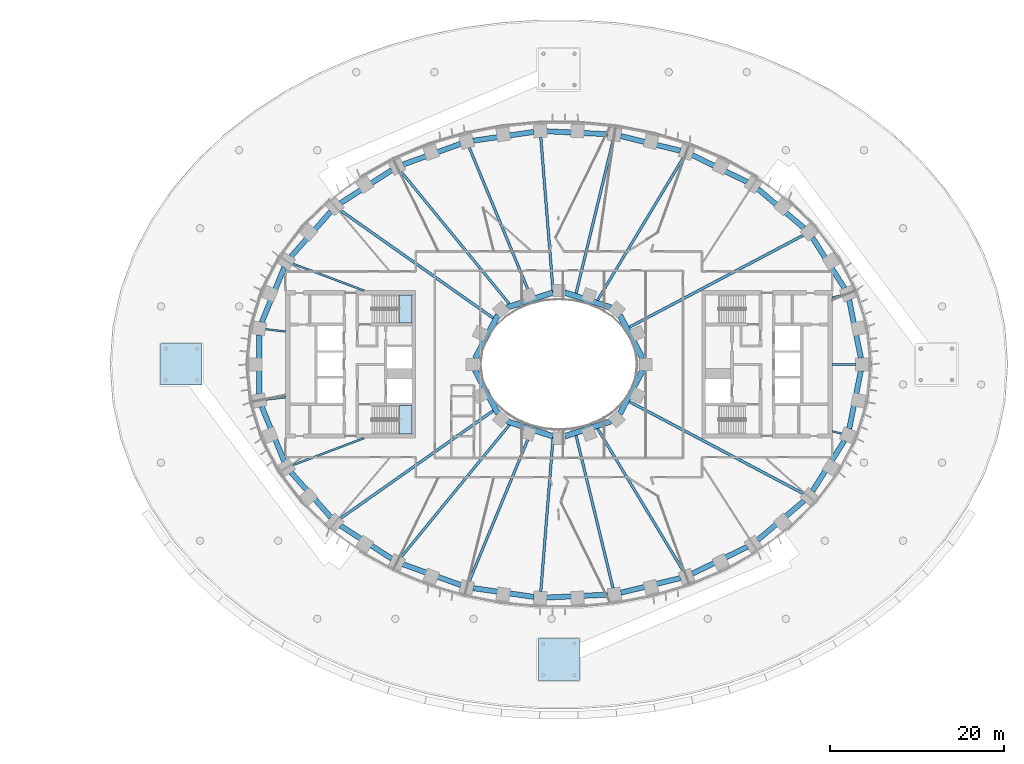
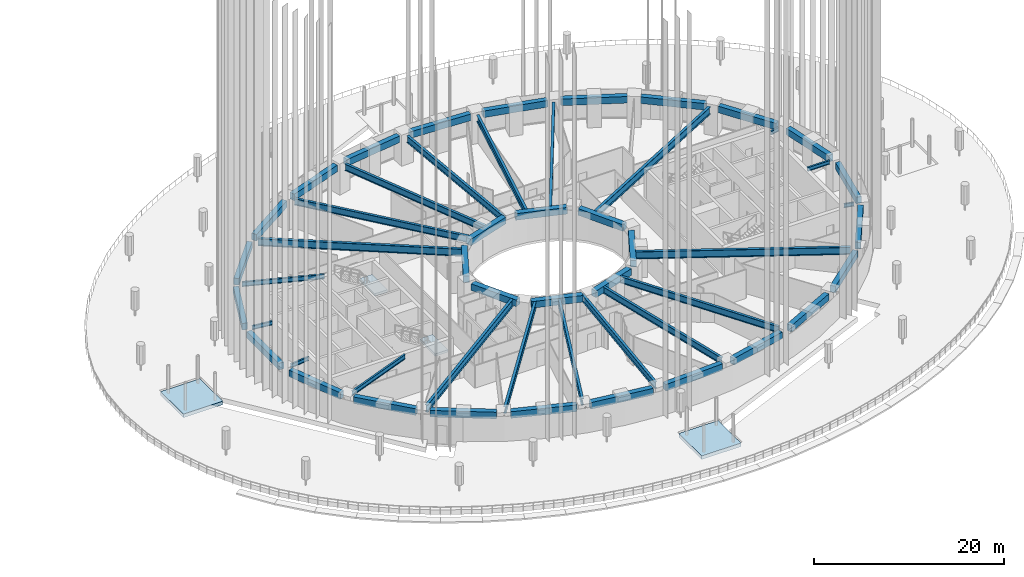
# One storey, part 9 of 30: 52 beams, 4 slabs, 2 elements without a shape of their own.
"""IFC4 building model written with IfcOpenShell, lengths in metres."""

from ifc_helpers import new_model, si_unit, direction, frame, origin, origin_2d, place, context, subcontext, project, spatial, polyline, rectangle, i_section, outline, extrude, material, layer, layer_set, material_profile, profile_set, type_object, element, aggregate, save


model = new_model("IFC4")

# Units and contexts
model_context = context("Model", 3, precision=1e-05, world=origin(), true_north=direction((0.0, 1.0)))
body_context = subcontext(model_context, "Body", "Model", "MODEL_VIEW")
ifc_project = project(units=[si_unit("LENGTHUNIT", "METRE"), si_unit("AREAUNIT", "SQUARE_METRE"), si_unit("VOLUMEUNIT", "CUBIC_METRE"), si_unit("PLANEANGLEUNIT", "RADIAN"), si_unit("MASSUNIT", "GRAM", prefix="KILO")], contexts=[model_context])

# Site, building, storey
site_placement = place(None, origin())
site = spatial("IfcSite", under=ifc_project, at=site_placement, CompositionType="ELEMENT")
building_placement = place(site_placement, origin())
building = spatial("IfcBuilding", under=site, at=building_placement, Name="Noorbagh Ring Tower", CompositionType="ELEMENT")
storey_placement = place(building_placement, frame((0.0, 0.0, 30.5)))
storey = spatial("IfcBuildingStorey", under=building, at=storey_placement, Name="L05", CompositionType="ELEMENT", Elevation=30.5)

# Beams
ifc_material_1 = material(Name="Steel S355", Category="steel")
ifc_material_profile_1 = material_profile(ifc_material_1, i_section(OverallWidth=0.199951171875, OverallDepth=0.5, WebThickness=0.01025390625, FlangeThickness=0.01611328125, FilletRadius=0.02099609375, at=origin_2d()), Name="IPE500")
ifc_profile_set_1 = profile_set([ifc_material_profile_1], Name="Steel S355")
beam_type_1 = type_object("IfcBeamType", Name="STR-RAD-IPE500", PredefinedType="BEAM", material=ifc_profile_set_1)
beam_1_placement = place(storey_placement, frame((34.214599609375, 0.0, 3.449951171875), z_axis=(-1.0, 0.0, 0.0), x_axis=(0.0, -1.0, 0.0)))
element("IfcBeam", 1, at=beam_1_placement, inside=storey, type_object=beam_type_1, Name="L05/bm/RD01", PredefinedType="BEAM", context=body_context, shape_type="SweptSolid", body=[
    extrude(i_section(OverallWidth=0.199951171875, OverallDepth=0.5, WebThickness=0.01025390625, FlangeThickness=0.01611328125, FilletRadius=0.02099609375, at=origin_2d()), origin(), (0.0, 0.0, 1.0), 2.734619140625),
])
beam_2_placement = place(storey_placement, frame((32.587890625, 7.973876953125, 3.449951171875), z_axis=(-0.971339703518, -0.237695562369, 0.0), x_axis=(0.237695562369, -0.971339703518, 0.0)))
element("IfcBeam", 2, at=beam_2_placement, inside=storey, type_object=beam_type_1, Name="L05/bm/RD03", PredefinedType="BEAM", context=body_context, shape_type="SweptSolid", body=[
    extrude(i_section(OverallWidth=0.199951171875, OverallDepth=0.5, WebThickness=0.01025390625, FlangeThickness=0.01611328125, FilletRadius=0.02099609375, at=origin_2d()), origin(), (0.0, 0.0, 1.0), 1.14013671875),
])
for number, where, z_axis, x_axis, name in (
    (3, (-33.799560546875, 4.063232421875, 3.449951171875), (0.992852090588, -0.119351272363, 0.0), (0.119351272363, 0.992852090588, 0.0), "L05/bm/RD23"),
    (4, (-33.799560546875, -4.063232421875, 3.449951171875), (0.992852090588, 0.119351272363, 0.0), (-0.119351272363, 0.992852090588, 0.0), "L05/bm/RD25"),
):
    element("IfcBeam", number, at=place(storey_placement, frame(where, z_axis=z_axis, x_axis=x_axis)), inside=storey, type_object=beam_type_1, Name=name, PredefinedType="BEAM", context=body_context, shape_type="SweptSolid", body=[
        extrude(i_section(OverallWidth=0.199951171875, OverallDepth=0.5, WebThickness=0.01025390625, FlangeThickness=0.01611328125, FilletRadius=0.02099609375, at=origin_2d()), origin(), (0.0, 0.0, 1.0), 2.3359375),
    ])
beam_3_placement = place(storey_placement, frame((32.587890625, -7.973876953125, 3.449951171875), z_axis=(-0.971339703518, 0.237695562369, 0.0), x_axis=(-0.237695562369, -0.971339703518, 0.0)))
element("IfcBeam", 5, at=beam_3_placement, inside=storey, type_object=beam_type_1, Name="L05/bm/RD45", PredefinedType="BEAM", context=body_context, shape_type="SweptSolid", body=[
    extrude(i_section(OverallWidth=0.199951171875, OverallDepth=0.5, WebThickness=0.01025390625, FlangeThickness=0.01611328125, FilletRadius=0.02099609375, at=origin_2d()), origin(), (0.0, 0.0, 1.0), 1.14013671875),
])
ifc_material_2 = material(Name="Steel S355", Category="steel")
ifc_material_profile_2 = material_profile(ifc_material_2, i_section(OverallWidth=0.219970703125, OverallDepth=0.60009765625, WebThickness=0.011962890625, FlangeThickness=0.01904296875, FilletRadius=0.02392578125, at=origin_2d()), Name="IPE600")
ifc_profile_set_2 = profile_set([ifc_material_profile_2], Name="Steel S355")
beam_type_2 = type_object("IfcBeamType", Name="STR-RAD-IPE600", PredefinedType="BEAM", material=ifc_profile_set_2)
for number, where, z_axis, x_axis, name in (
    (6, (-30.66748046875, 11.60693359375, 3.39990234375), (0.93525621499, -0.353971485184, 0.0), (0.353971485184, 0.93525621499, 0.0), "L05/bm/RD21"),
    (7, (-30.66748046875, -11.60693359375, 3.39990234375), (0.93525621499, 0.353971485184, 0.0), (-0.353971485184, 0.93525621499, 0.0), "L05/bm/RD27"),
):
    element("IfcBeam", number, at=place(storey_placement, frame(where, z_axis=z_axis, x_axis=x_axis)), inside=storey, type_object=beam_type_2, Name=name, PredefinedType="BEAM", context=body_context, shape_type="SweptSolid", body=[
        extrude(i_section(OverallWidth=0.219970703125, OverallDepth=0.60009765625, WebThickness=0.011962890625, FlangeThickness=0.01904296875, FilletRadius=0.02392578125, at=origin_2d()), origin(), (0.0, 0.0, 1.0), 8.79736328125),
    ])
ifc_material_3 = material(Name="Steel S355", Category="steel")
ifc_material_profile_3 = material_profile(ifc_material_3, i_section(OverallWidth=0.300048828125, OverallDepth=0.85009765625, WebThickness=0.013916015625, FlangeThickness=0.028076171875, at=origin_2d()), Name="PG850x300x14x28")
ifc_profile_set_3 = profile_set([ifc_material_profile_3], Name="Steel S355")
beam_type_3 = type_object("IfcBeamType", Name="STR-RAD-PG850x300x14x28", PredefinedType="BEAM", material=ifc_profile_set_3)
beam_4_placement = place(storey_placement, frame((14.325439453125, 23.802734375, 3.27490234375), z_axis=(-0.515656740038, -0.856795265191, 0.0), x_axis=(0.856795265191, -0.515656740038, 0.0)))
element("IfcBeam", 8, at=beam_4_placement, inside=storey, type_object=beam_type_3, Name="L05/bm/RD09", PredefinedType="BEAM", context=body_context, shape_type="SweptSolid", body=[
    extrude(i_section(OverallWidth=0.300048828125, OverallDepth=0.85009765625, WebThickness=0.013916015625, FlangeThickness=0.028076171875, at=origin_2d()), origin(), (0.0, 0.0, 1.0), 19.16552734375),
])
beam_5_placement = place(storey_placement, frame((6.23681640625, 25.778076171875, 3.27490234375), z_axis=(-0.235164261049, -0.971955642159, 0.0), x_axis=(0.971955642159, -0.235164261049, 0.0)))
element("IfcBeam", 9, at=beam_5_placement, inside=storey, type_object=beam_type_3, Name="L05/bm/RD11", PredefinedType="BEAM", context=body_context, shape_type="SweptSolid", body=[
    extrude(i_section(OverallWidth=0.300048828125, OverallDepth=0.85009765625, WebThickness=0.013916015625, FlangeThickness=0.028076171875, at=origin_2d()), origin(), (0.0, 0.0, 1.0), 18.104736328125),
])
beam_6_placement = place(storey_placement, frame((-2.085205078125, 26.169921875, 3.27490234375), z_axis=(0.079431823064, -0.996840300893, 0.0), x_axis=(0.996840300893, 0.079431823064, 0.0)))
element("IfcBeam", 10, at=beam_6_placement, inside=storey, type_object=beam_type_3, Name="L05/bm/RD13", PredefinedType="BEAM", context=body_context, shape_type="SweptSolid", body=[
    extrude(i_section(OverallWidth=0.300048828125, OverallDepth=0.85009765625, WebThickness=0.013916015625, FlangeThickness=0.028076171875, at=origin_2d()), origin(), (0.0, 0.0, 1.0), 18.05126953125),
])
beam_7_placement = place(storey_placement, frame((-10.3310546875, 24.9912109375, 3.27490234375), z_axis=(0.382027192106, -0.924151083152, 0.0), x_axis=(0.924151083152, 0.382027192106, 0.0)))
element("IfcBeam", 11, at=beam_7_placement, inside=storey, type_object=beam_type_3, Name="L05/bm/RD15", PredefinedType="BEAM", context=body_context, shape_type="SweptSolid", body=[
    extrude(i_section(OverallWidth=0.300048828125, OverallDepth=0.85009765625, WebThickness=0.013916015625, FlangeThickness=0.028076171875, at=origin_2d()), origin(), (0.0, 0.0, 1.0), 18.624267578125),
])
for number, where, z_axis, x_axis, name in (
    (12, (-18.1708984375, 22.20458984375, 3.27490234375), (0.633309388091, -0.773898713628, 0.0), (0.773898713628, 0.633309388091, 0.0), "L05/bm/RD17"),
    (13, (-18.1708984375, -22.20458984375, 3.27490234375), (0.633309388091, 0.773898713628, 0.0), (-0.773898713628, 0.633309388091, 0.0), "L05/bm/RD31"),
):
    element("IfcBeam", number, at=place(storey_placement, frame(where, z_axis=z_axis, x_axis=x_axis)), inside=storey, type_object=beam_type_3, Name=name, PredefinedType="BEAM", context=body_context, shape_type="SweptSolid", body=[
        extrude(i_section(OverallWidth=0.300048828125, OverallDepth=0.85009765625, WebThickness=0.013916015625, FlangeThickness=0.028076171875, at=origin_2d()), origin(), (0.0, 0.0, 1.0), 19.68212890625),
    ])
beam_8_placement = place(storey_placement, frame((-10.3310546875, -24.9912109375, 3.27490234375), z_axis=(0.382027192106, 0.924151083152, 0.0), x_axis=(-0.924151083152, 0.382027192106, 0.0)))
element("IfcBeam", 14, at=beam_8_placement, inside=storey, type_object=beam_type_3, Name="L05/bm/RD33", PredefinedType="BEAM", context=body_context, shape_type="SweptSolid", body=[
    extrude(i_section(OverallWidth=0.300048828125, OverallDepth=0.85009765625, WebThickness=0.013916015625, FlangeThickness=0.028076171875, at=origin_2d()), origin(), (0.0, 0.0, 1.0), 18.624267578125),
])
beam_9_placement = place(storey_placement, frame((-2.085205078125, -26.169921875, 3.27490234375), z_axis=(0.079431823064, 0.996840300893, 0.0), x_axis=(-0.996840300893, 0.079431823064, 0.0)))
element("IfcBeam", 15, at=beam_9_placement, inside=storey, type_object=beam_type_3, Name="L05/bm/RD35", PredefinedType="BEAM", context=body_context, shape_type="SweptSolid", body=[
    extrude(i_section(OverallWidth=0.300048828125, OverallDepth=0.85009765625, WebThickness=0.013916015625, FlangeThickness=0.028076171875, at=origin_2d()), origin(), (0.0, 0.0, 1.0), 18.05126953125),
])
beam_10_placement = place(storey_placement, frame((6.23681640625, -25.778076171875, 3.27490234375), z_axis=(-0.235164261049, 0.971955642159, 0.0), x_axis=(-0.971955642159, -0.235164261049, 0.0)))
element("IfcBeam", 16, at=beam_10_placement, inside=storey, type_object=beam_type_3, Name="L05/bm/RD37", PredefinedType="BEAM", context=body_context, shape_type="SweptSolid", body=[
    extrude(i_section(OverallWidth=0.300048828125, OverallDepth=0.85009765625, WebThickness=0.013916015625, FlangeThickness=0.028076171875, at=origin_2d()), origin(), (0.0, 0.0, 1.0), 18.104736328125),
])
beam_11_placement = place(storey_placement, frame((14.325439453125, -23.802734375, 3.27490234375), z_axis=(-0.515656740038, 0.856795265191, 0.0), x_axis=(-0.856795265191, -0.515656740038, 0.0)))
element("IfcBeam", 17, at=beam_11_placement, inside=storey, type_object=beam_type_3, Name="L05/bm/RD39", PredefinedType="BEAM", context=body_context, shape_type="SweptSolid", body=[
    extrude(i_section(OverallWidth=0.300048828125, OverallDepth=0.85009765625, WebThickness=0.013916015625, FlangeThickness=0.028076171875, at=origin_2d()), origin(), (0.0, 0.0, 1.0), 19.16552734375),
])
ifc_material_4 = material(Name="Steel S355", Category="steel")
ifc_material_profile_4 = material_profile(ifc_material_4, i_section(OverallWidth=0.320068359375, OverallDepth=0.949951171875, WebThickness=0.01611328125, FlangeThickness=0.030029296875, at=origin_2d()), Name="PG950x320x16x30")
ifc_profile_set_4 = profile_set([ifc_material_profile_4], Name="Steel S355")
beam_type_4 = type_object("IfcBeamType", Name="STR-RAD-PG950x320x16x30", PredefinedType="BEAM", material=ifc_profile_set_4)
beam_12_placement = place(storey_placement, frame((28.154052734375, 14.879150390625, 3.22509765625), z_axis=(-0.88412365795, -0.467252990844, 0.0), x_axis=(0.467252990844, -0.88412365795, 0.0)))
element("IfcBeam", 18, at=beam_12_placement, inside=storey, type_object=beam_type_4, Name="L05/bm/RD05", PredefinedType="BEAM", context=body_context, shape_type="SweptSolid", body=[
    extrude(i_section(OverallWidth=0.320068359375, OverallDepth=0.949951171875, WebThickness=0.01611328125, FlangeThickness=0.030029296875, at=origin_2d()), origin(), (0.0, 0.0, 1.0), 22.67822265625),
])
for number, where, z_axis, x_axis, name in (
    (19, (-25.165771484375, 17.745361328125, 3.22509765625), (0.817254439709, -0.576277000041, 0.0), (0.576277000041, 0.817254439709, 0.0), "L05/bm/RD19"),
    (20, (-25.165771484375, -17.745361328125, 3.22509765625), (0.817254439709, 0.576277000041, 0.0), (-0.576277000041, 0.817254439709, 0.0), "L05/bm/RD29"),
):
    element("IfcBeam", number, at=place(storey_placement, frame(where, z_axis=z_axis, x_axis=x_axis)), inside=storey, type_object=beam_type_4, Name=name, PredefinedType="BEAM", context=body_context, shape_type="SweptSolid", body=[
        extrude(i_section(OverallWidth=0.320068359375, OverallDepth=0.949951171875, WebThickness=0.01611328125, FlangeThickness=0.030029296875, at=origin_2d()), origin(), (0.0, 0.0, 1.0), 21.548095703125),
    ])
beam_13_placement = place(storey_placement, frame((28.154052734375, -14.879150390625, 3.22509765625), z_axis=(-0.88412365795, 0.467252990844, 0.0), x_axis=(-0.467252990844, -0.88412365795, 0.0)))
element("IfcBeam", 21, at=beam_13_placement, inside=storey, type_object=beam_type_4, Name="L05/bm/RD43", PredefinedType="BEAM", context=body_context, shape_type="SweptSolid", body=[
    extrude(i_section(OverallWidth=0.320068359375, OverallDepth=0.949951171875, WebThickness=0.01611328125, FlangeThickness=0.030029296875, at=origin_2d()), origin(), (0.0, 0.0, 1.0), 22.67822265625),
])
ifc_material_5 = material(Name="Concrete C40/50", Category="concrete")
ifc_material_profile_5 = material_profile(ifc_material_5, rectangle(XDim=0.64990234375, YDim=0.85009765625, at=origin_2d()), Name="RC650x850")
ifc_profile_set_5 = profile_set([ifc_material_profile_5], Name="Concrete C40/50")
beam_type_5 = type_object("IfcBeamType", Name="STR-RB-RC650x850-C40-50", PredefinedType="BEAM", material=ifc_profile_set_5)
beam_14_placement = place(storey_placement, frame((9.650146484375, 0.682373046875, 3.27490234375), z_axis=(-0.464950685644, 0.885336580019, 0.0), x_axis=(-0.885336580019, -0.464950685644, 0.0)))
element("IfcBeam", 22, at=beam_14_placement, inside=storey, type_object=beam_type_5, Name="L05/bm/RG01", PredefinedType="BEAM", context=body_context, shape_type="SweptSolid", body=[
    extrude(rectangle(XDim=0.64990234375, YDim=0.85009765625, at=origin_2d()), origin(), (0.0, 0.0, 1.0), 5.653564453125),
])
for number, where, z_axis, x_axis, name in (
    (23, (5.97607421875, 6.56298828125, 3.27490234375), (-0.951149054478, 0.3087320459, 0.0), (-0.3087320459, -0.951149054478, 0.0), "L05/bm/RG03"),
    (24, (-0.680908203125, 8.28173828125, 3.27490234375), (-0.951149054478, -0.3087320459, 0.0), (0.3087320459, -0.951149054478, 0.0), "L05/bm/RG05"),
):
    element("IfcBeam", number, at=place(storey_placement, frame(where, z_axis=z_axis, x_axis=x_axis)), inside=storey, type_object=beam_type_5, Name=name, PredefinedType="BEAM", context=body_context, shape_type="SweptSolid", body=[
        extrude(rectangle(XDim=0.64990234375, YDim=0.85009765625, at=origin_2d()), origin(), (0.0, 0.0, 1.0), 5.567138671875),
    ])
for number, where, z_axis, x_axis, name in (
    (25, (-7.021484375, 5.687744140625, 3.27490234375), (-0.464950685644, -0.885336580019, 0.0), (0.885336580019, -0.464950685644, 0.0), "L05/bm/RG07"),
    (26, (-9.650146484375, -0.682373046875, 3.27490234375), (0.464950685644, -0.885336580019, 0.0), (0.885336580019, 0.464950685644, 0.0), "L05/bm/RG09"),
):
    element("IfcBeam", number, at=place(storey_placement, frame(where, z_axis=z_axis, x_axis=x_axis)), inside=storey, type_object=beam_type_5, Name=name, PredefinedType="BEAM", context=body_context, shape_type="SweptSolid", body=[
        extrude(rectangle(XDim=0.64990234375, YDim=0.85009765625, at=origin_2d()), origin(), (0.0, 0.0, 1.0), 5.653564453125),
    ])
for number, where, z_axis, x_axis, name in (
    (27, (-5.97607421875, -6.56298828125, 3.27490234375), (0.951149054478, -0.3087320459, 0.0), (0.3087320459, 0.951149054478, 0.0), "L05/bm/RG11"),
    (28, (0.680908203125, -8.28173828125, 3.27490234375), (0.951149054478, 0.3087320459, 0.0), (-0.3087320459, 0.951149054478, 0.0), "L05/bm/RG13"),
):
    element("IfcBeam", number, at=place(storey_placement, frame(where, z_axis=z_axis, x_axis=x_axis)), inside=storey, type_object=beam_type_5, Name=name, PredefinedType="BEAM", context=body_context, shape_type="SweptSolid", body=[
        extrude(rectangle(XDim=0.64990234375, YDim=0.85009765625, at=origin_2d()), origin(), (0.0, 0.0, 1.0), 5.567138671875),
    ])
beam_15_placement = place(storey_placement, frame((7.021484375, -5.687744140625, 3.27490234375), z_axis=(0.464950685644, 0.885336580019, 0.0), x_axis=(-0.885336580019, 0.464950685644, 0.0)))
element("IfcBeam", 29, at=beam_15_placement, inside=storey, type_object=beam_type_5, Name="L05/bm/RG15", PredefinedType="BEAM", context=body_context, shape_type="SweptSolid", body=[
    extrude(rectangle(XDim=0.64990234375, YDim=0.85009765625, at=origin_2d()), origin(), (0.0, 0.0, 1.0), 5.653564453125),
])
ifc_material_6 = material(Name="Concrete C40/50", Category="concrete")
ifc_material_profile_6 = material_profile(ifc_material_6, rectangle(XDim=0.60009765625, YDim=0.85009765625, at=origin_2d()), Name="RC600x850")
ifc_profile_set_6 = profile_set([ifc_material_profile_6], Name="Concrete C40/50")
beam_type_6 = type_object("IfcBeamType", Name="STR-SB-RC600x850-C40-50", PredefinedType="BEAM", material=ifc_profile_set_6)
beam_16_placement = place(storey_placement, frame((34.7978515625, 0.73046875, 3.27490234375), z_axis=(-0.197244389947, 0.980354349526, 0.0), x_axis=(-0.980354349526, -0.197244389947, 0.0)))
element("IfcBeam", 30, at=beam_16_placement, inside=storey, type_object=beam_type_6, Name="L05/bm/SP01", PredefinedType="BEAM", context=body_context, shape_type="SweptSolid", body=[
    extrude(rectangle(XDim=0.60009765625, YDim=0.85009765625, at=origin_2d()), origin(), (0.0, 0.0, 1.0), 6.82373046875),
])
beam_17_placement = place(storey_placement, frame((32.908203125, 8.77587890625, 3.27490234375), z_axis=(-0.535194304559, 0.844728983975, 0.0), x_axis=(-0.844728983975, -0.535194304559, 0.0)))
element("IfcBeam", 31, at=beam_17_placement, inside=storey, type_object=beam_type_6, Name="L05/bm/SP03", PredefinedType="BEAM", context=body_context, shape_type="SweptSolid", body=[
    extrude(rectangle(XDim=0.60009765625, YDim=0.85009765625, at=origin_2d()), origin(), (0.0, 0.0, 1.0), 6.9013671875),
])
beam_18_placement = place(storey_placement, frame((28.255859375, 15.707275390625, 3.27490234375), z_axis=(-0.763024386832, 0.646369696922, 0.0), x_axis=(-0.646369696922, -0.763024386832, 0.0)))
element("IfcBeam", 32, at=beam_18_placement, inside=storey, type_object=beam_type_6, Name="L05/bm/SP05", PredefinedType="BEAM", context=body_context, shape_type="SweptSolid", body=[
    extrude(rectangle(XDim=0.60009765625, YDim=0.85009765625, at=origin_2d()), origin(), (0.0, 0.0, 1.0), 6.988037109375),
])
beam_19_placement = place(storey_placement, frame((21.701416015625, 21.02294921875, 3.27490234375), z_axis=(-0.898409265653, 0.439159186843, 0.0), x_axis=(-0.439159186843, -0.898409265653, 0.0)))
element("IfcBeam", 33, at=beam_19_placement, inside=storey, type_object=beam_type_6, Name="L05/bm/SP07", PredefinedType="BEAM", context=body_context, shape_type="SweptSolid", body=[
    extrude(rectangle(XDim=0.60009765625, YDim=0.85009765625, at=origin_2d()), origin(), (0.0, 0.0, 1.0), 7.048095703125),
])
beam_20_placement = place(storey_placement, frame((13.996826171875, 24.616943359375, 3.27490234375), z_axis=(-0.970830070282, 0.23976858559, 0.0), x_axis=(-0.23976858559, -0.970830070282, 0.0)))
element("IfcBeam", 34, at=beam_20_placement, inside=storey, type_object=beam_type_6, Name="L05/bm/SP09", PredefinedType="BEAM", context=body_context, shape_type="SweptSolid", body=[
    extrude(rectangle(XDim=0.60009765625, YDim=0.85009765625, at=origin_2d()), origin(), (0.0, 0.0, 1.0), 7.081787109375),
])
beam_21_placement = place(storey_placement, frame((5.676513671875, 26.525634765625, 3.27490234375), z_axis=(-0.998868682603, 0.047553705583, 0.0), x_axis=(-0.047553705583, -0.998868682603, 0.0)))
element("IfcBeam", 35, at=beam_21_placement, inside=storey, type_object=beam_type_6, Name="L05/bm/SP11", PredefinedType="BEAM", context=body_context, shape_type="SweptSolid", body=[
    extrude(rectangle(XDim=0.60009765625, YDim=0.85009765625, at=origin_2d()), origin(), (0.0, 0.0, 1.0), 7.09521484375),
])
beam_22_placement = place(storey_placement, frame((-2.869140625, 26.79296875, 3.27490234375), z_axis=(-0.989714712052, -0.14305519476, 0.0), x_axis=(0.14305519476, -0.989714712052, 0.0)))
element("IfcBeam", 36, at=beam_22_placement, inside=storey, type_object=beam_type_6, Name="L05/bm/SP13", PredefinedType="BEAM", context=body_context, shape_type="SweptSolid", body=[
    extrude(rectangle(XDim=0.60009765625, YDim=0.85009765625, at=origin_2d()), origin(), (0.0, 0.0, 1.0), 7.091064453125),
])
beam_23_placement = place(storey_placement, frame((-11.303955078125, 25.42529296875, 3.27490234375), z_axis=(-0.941024719218, -0.338337816127, 0.0), x_axis=(0.338337816127, -0.941024719218, 0.0)))
element("IfcBeam", 37, at=beam_23_placement, inside=storey, type_object=beam_type_6, Name="L05/bm/SP15", PredefinedType="BEAM", context=body_context, shape_type="SweptSolid", body=[
    extrude(rectangle(XDim=0.60009765625, YDim=0.85009765625, at=origin_2d()), origin(), (0.0, 0.0, 1.0), 7.06787109375),
])
beam_24_placement = place(storey_placement, frame((-19.26416015625, 22.38671875, 3.27490234375), z_axis=(-0.840248616013, -0.54220131251, 0.0), x_axis=(0.54220131251, -0.840248616013, 0.0)))
element("IfcBeam", 38, at=beam_24_placement, inside=storey, type_object=beam_type_6, Name="L05/bm/SP17", PredefinedType="BEAM", context=body_context, shape_type="SweptSolid", body=[
    extrude(rectangle(XDim=0.60009765625, YDim=0.85009765625, at=origin_2d()), origin(), (0.0, 0.0, 1.0), 7.021728515625),
])
beam_25_placement = place(storey_placement, frame((-26.271728515625, 17.627685546875, 3.27490234375), z_axis=(-0.662649709282, -0.748929477847, 0.0), x_axis=(0.748929477847, -0.662649709282, 0.0)))
element("IfcBeam", 39, at=beam_25_placement, inside=storey, type_object=beam_type_6, Name="L05/bm/SP19", PredefinedType="BEAM", context=body_context, shape_type="SweptSolid", body=[
    extrude(rectangle(XDim=0.60009765625, YDim=0.85009765625, at=origin_2d()), origin(), (0.0, 0.0, 1.0), 6.94677734375),
])
beam_26_placement = place(storey_placement, frame((-31.646240234375, 11.1845703125, 3.27490234375), z_axis=(-0.378965542347, -0.925410783228, 0.0), x_axis=(0.925410783228, -0.378965542347, 0.0)))
element("IfcBeam", 40, at=beam_26_placement, inside=storey, type_object=beam_type_6, Name="L05/bm/SP21", PredefinedType="BEAM", context=body_context, shape_type="SweptSolid", body=[
    extrude(rectangle(XDim=0.60009765625, YDim=0.85009765625, at=origin_2d()), origin(), (0.0, 0.0, 1.0), 6.857177734375),
])
beam_27_placement = place(storey_placement, frame((-34.52685546875, 3.40576171875, 3.27490234375), z_axis=(0.0, -1.0, 0.0), x_axis=(1.0, 0.0, 0.0)))
element("IfcBeam", 41, at=beam_27_placement, inside=storey, type_object=beam_type_6, Name="L05/bm/SP23", PredefinedType="BEAM", context=body_context, shape_type="SweptSolid", body=[
    extrude(rectangle(XDim=0.60009765625, YDim=0.85009765625, at=origin_2d()), origin(), (0.0, 0.0, 1.0), 6.8115234375),
])
beam_28_placement = place(storey_placement, frame((-34.244873046875, -4.8388671875, 3.27490234375), z_axis=(0.378965542347, -0.925410783228, 0.0), x_axis=(0.925410783228, 0.378965542347, 0.0)))
element("IfcBeam", 42, at=beam_28_placement, inside=storey, type_object=beam_type_6, Name="L05/bm/SP25", PredefinedType="BEAM", context=body_context, shape_type="SweptSolid", body=[
    extrude(rectangle(XDim=0.60009765625, YDim=0.85009765625, at=origin_2d()), origin(), (0.0, 0.0, 1.0), 6.857177734375),
])
beam_29_placement = place(storey_placement, frame((-30.875, -12.425048828125, 3.27490234375), z_axis=(0.662649709282, -0.748929477847, 0.0), x_axis=(0.748929477847, 0.662649709282, 0.0)))
element("IfcBeam", 43, at=beam_29_placement, inside=storey, type_object=beam_type_6, Name="L05/bm/SP27", PredefinedType="BEAM", context=body_context, shape_type="SweptSolid", body=[
    extrude(rectangle(XDim=0.60009765625, YDim=0.85009765625, at=origin_2d()), origin(), (0.0, 0.0, 1.0), 6.94677734375),
])
beam_30_placement = place(storey_placement, frame((-25.1640625, -18.57958984375, 3.27490234375), z_axis=(0.840248616013, -0.54220131251, 0.0), x_axis=(0.54220131251, 0.840248616013, 0.0)))
element("IfcBeam", 44, at=beam_30_placement, inside=storey, type_object=beam_type_6, Name="L05/bm/SP29", PredefinedType="BEAM", context=body_context, shape_type="SweptSolid", body=[
    extrude(rectangle(XDim=0.60009765625, YDim=0.85009765625, at=origin_2d()), origin(), (0.0, 0.0, 1.0), 7.021728515625),
])
beam_31_placement = place(storey_placement, frame((-17.955078125, -23.033935546875, 3.27490234375), z_axis=(0.941024719218, -0.338337816127, 0.0), x_axis=(0.338337816127, 0.941024719218, 0.0)))
element("IfcBeam", 45, at=beam_31_placement, inside=storey, type_object=beam_type_6, Name="L05/bm/SP31", PredefinedType="BEAM", context=body_context, shape_type="SweptSolid", body=[
    extrude(rectangle(XDim=0.60009765625, YDim=0.85009765625, at=origin_2d()), origin(), (0.0, 0.0, 1.0), 7.06787109375),
])
beam_32_placement = place(storey_placement, frame((-9.88720703125, -25.778564453125, 3.27490234375), z_axis=(0.989714712052, -0.14305519476, 0.0), x_axis=(0.14305519476, 0.989714712052, 0.0)))
element("IfcBeam", 46, at=beam_32_placement, inside=storey, type_object=beam_type_6, Name="L05/bm/SP33", PredefinedType="BEAM", context=body_context, shape_type="SweptSolid", body=[
    extrude(rectangle(XDim=0.60009765625, YDim=0.85009765625, at=origin_2d()), origin(), (0.0, 0.0, 1.0), 7.091064453125),
])
beam_33_placement = place(storey_placement, frame((-1.41064453125, -26.863037109375, 3.27490234375), z_axis=(0.998868682603, 0.047553705583, 0.0), x_axis=(-0.047553705583, 0.998868682603, 0.0)))
element("IfcBeam", 47, at=beam_33_placement, inside=storey, type_object=beam_type_6, Name="L05/bm/SP35", PredefinedType="BEAM", context=body_context, shape_type="SweptSolid", body=[
    extrude(rectangle(XDim=0.60009765625, YDim=0.85009765625, at=origin_2d()), origin(), (0.0, 0.0, 1.0), 7.09521484375),
])
beam_34_placement = place(storey_placement, frame((7.12158203125, -26.31494140625, 3.27490234375), z_axis=(0.970830070282, 0.23976858559, 0.0), x_axis=(-0.23976858559, 0.970830070282, 0.0)))
element("IfcBeam", 48, at=beam_34_placement, inside=storey, type_object=beam_type_6, Name="L05/bm/SP37", PredefinedType="BEAM", context=body_context, shape_type="SweptSolid", body=[
    extrude(rectangle(XDim=0.60009765625, YDim=0.85009765625, at=origin_2d()), origin(), (0.0, 0.0, 1.0), 7.081787109375),
])
beam_35_placement = place(storey_placement, frame((15.369384765625, -24.1181640625, 3.27490234375), z_axis=(0.898409265653, 0.439159186843, 0.0), x_axis=(-0.439159186843, 0.898409265653, 0.0)))
element("IfcBeam", 49, at=beam_35_placement, inside=storey, type_object=beam_type_6, Name="L05/bm/SP39", PredefinedType="BEAM", context=body_context, shape_type="SweptSolid", body=[
    extrude(rectangle(XDim=0.60009765625, YDim=0.85009765625, at=origin_2d()), origin(), (0.0, 0.0, 1.0), 7.048095703125),
])
beam_36_placement = place(storey_placement, frame((22.923828125, -20.22412109375, 3.27490234375), z_axis=(0.763024386832, 0.646369696922, 0.0), x_axis=(-0.646369696922, 0.763024386832, 0.0)))
element("IfcBeam", 50, at=beam_36_placement, inside=storey, type_object=beam_type_6, Name="L05/bm/SP41", PredefinedType="BEAM", context=body_context, shape_type="SweptSolid", body=[
    extrude(rectangle(XDim=0.60009765625, YDim=0.85009765625, at=origin_2d()), origin(), (0.0, 0.0, 1.0), 6.988037109375),
])
beam_37_placement = place(storey_placement, frame((29.214599609375, -14.605712890625, 3.27490234375), z_axis=(0.535194304559, 0.844728983975, 0.0), x_axis=(-0.844728983975, 0.535194304559, 0.0)))
element("IfcBeam", 51, at=beam_37_placement, inside=storey, type_object=beam_type_6, Name="L05/bm/SP43", PredefinedType="BEAM", context=body_context, shape_type="SweptSolid", body=[
    extrude(rectangle(XDim=0.60009765625, YDim=0.85009765625, at=origin_2d()), origin(), (0.0, 0.0, 1.0), 6.9013671875),
])
beam_38_placement = place(storey_placement, frame((33.451904296875, -7.420166015625, 3.27490234375), z_axis=(0.197244389947, 0.980354349526, 0.0), x_axis=(-0.980354349526, 0.197244389947, 0.0)))
element("IfcBeam", 52, at=beam_38_placement, inside=storey, type_object=beam_type_6, Name="L05/bm/SP45", PredefinedType="BEAM", context=body_context, shape_type="SweptSolid", body=[
    extrude(rectangle(XDim=0.60009765625, YDim=0.85009765625, at=origin_2d()), origin(), (0.0, 0.0, 1.0), 6.82373046875),
])

# Stair, slab
ifc_material_7 = material(Name="Concrete C40/50", Category="concrete")
stair_type = type_object("IfcStairType", Name="CORE-STAIR", PredefinedType="HALF_TURN_STAIR", material=ifc_material_7)
stair_1_placement = place(storey_placement, origin())
stair_1 = element("IfcStair", 53, at=stair_1_placement, inside=storey, type_object=stair_type, Name="L05 Exit stair ST1", PredefinedType="HALF_TURN_STAIR")
ifc_material_8 = material(Name="Concrete C40/50", Category="concrete")
ifc_layer_1 = layer(ifc_material_8, 0.300048828125)
ifc_layer_set_1 = layer_set([ifc_layer_1], Name="Concrete C40/50")
slab_type_1 = type_object("IfcSlabType", Name="CORE-STAIR-LANDING", PredefinedType="LANDING", material=ifc_layer_set_1)
slab_1_placement = place(storey_placement, frame((0.0, 0.0, 1.699951171875)))
slab_1 = element("IfcSlab", 54, at=slab_1_placement, type_object=slab_type_1, Name="ST1 landing 1", PredefinedType="LANDING", context=body_context, shape_type="SweptSolid", body=[
    extrude(outline(polyline([(-18.449951171875, 4.75), (-16.89990234375, 4.75), (-16.89990234375, 8.0), (-18.449951171875, 8.0), (-18.449951171875, 4.75)])), origin(), (0.0, 0.0, 1.0), 0.300048828125),
])
aggregate(stair_1, [slab_1])

stair_2_placement = place(storey_placement, origin())
stair_2 = element("IfcStair", 55, at=stair_2_placement, inside=storey, type_object=stair_type, Name="L05 Exit stair ST2", PredefinedType="HALF_TURN_STAIR")
slab_2_placement = place(storey_placement, frame((0.0, 0.0, 1.699951171875)))
slab_2 = element("IfcSlab", 56, at=slab_2_placement, type_object=slab_type_1, Name="ST2 landing 1", PredefinedType="LANDING", context=body_context, shape_type="SweptSolid", body=[
    extrude(outline(polyline([(-18.449951171875, -8.0), (-16.89990234375, -8.0), (-16.89990234375, -4.75), (-18.449951171875, -4.75), (-18.449951171875, -8.0)])), origin(), (0.0, 0.0, 1.0), 0.300048828125),
])
aggregate(stair_2, [slab_2])

# Slabs
ifc_material_9 = material(Name="Concrete C40/50", Category="concrete")
ifc_layer_2 = layer(ifc_material_9, 0.449951171875)
ifc_layer_set_2 = layer_set([ifc_layer_2], Name="Concrete C40/50")
slab_type_2 = type_object("IfcSlabType", Name="GND-CHHATRI-PLINTH", PredefinedType="FLOOR", material=ifc_layer_set_2)
slab_3_placement = place(storey_placement, origin())
element("IfcSlab", 57, at=slab_3_placement, inside=storey, type_object=slab_type_2, Name="Chhatri 2 plinth", PredefinedType="FLOOR", context=body_context, shape_type="SweptSolid", body=[
    extrude(outline(polyline([(-45.89990234375, -2.39990234375), (-41.10009765625, -2.39990234375), (-41.10009765625, 2.39990234375), (-45.89990234375, 2.39990234375), (-45.89990234375, -2.39990234375)])), origin(), (0.0, 0.0, 1.0), 0.449951171875),
])
slab_4_placement = place(storey_placement, origin())
element("IfcSlab", 58, at=slab_4_placement, inside=storey, type_object=slab_type_2, Name="Chhatri 4 plinth", PredefinedType="FLOOR", context=body_context, shape_type="SweptSolid", body=[
    extrude(outline(polyline([(-2.39990234375, -36.39990234375), (2.39990234375, -36.39990234375), (2.39990234375, -31.60009765625), (-2.39990234375, -31.60009765625), (-2.39990234375, -36.39990234375)])), origin(), (0.0, 0.0, 1.0), 0.449951171875),
])

save(model, "model.ifc")
